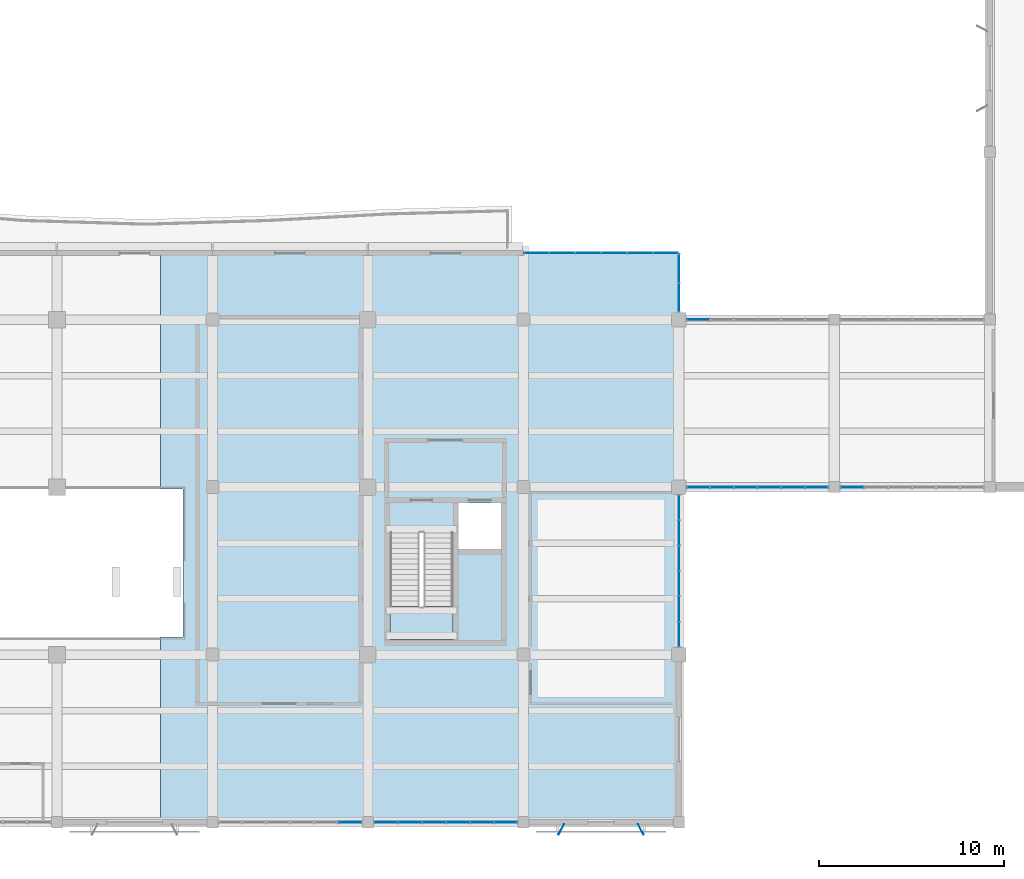
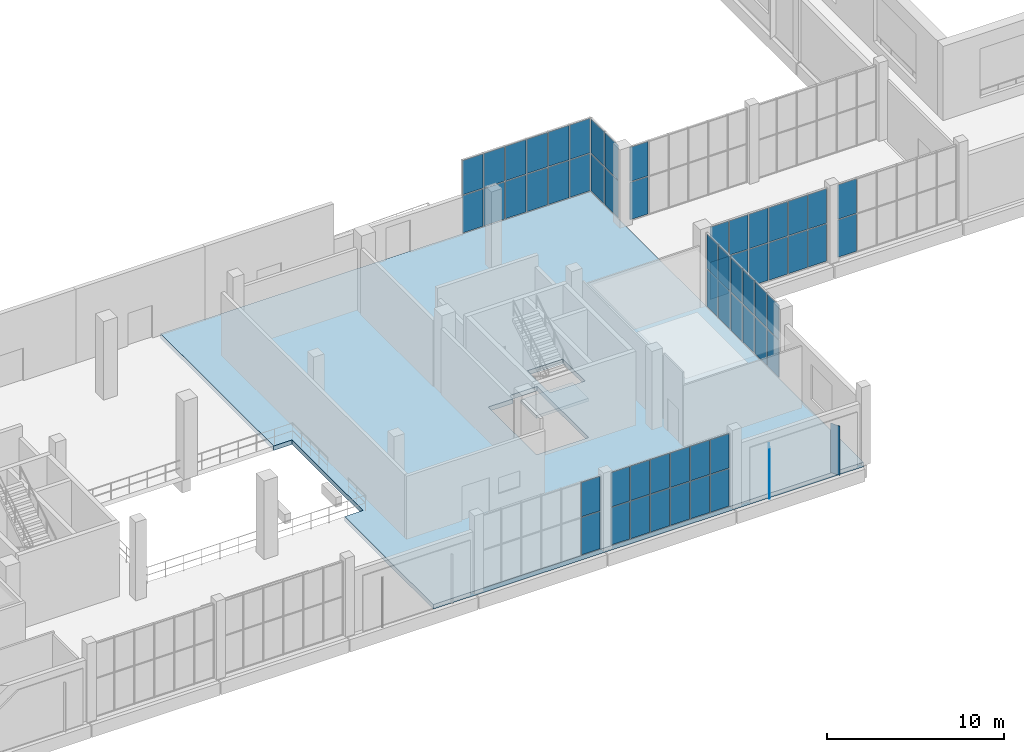
# One storey, part 99 of 132: 60 plates, 2 slabs, 9 elements without a shape of their own.
"""IFC4 building model written with IfcOpenShell, lengths in metres."""

from ifc_helpers import new_model, si_unit, direction, frame, origin, origin_2d, place, context, subcontext, project, spatial, polyline, rectangle, outline, extrude, material, layer, layer_set, type_object, element, aggregate, save


model = new_model("IFC4")

# Units and contexts
model_context = context("Model", 3, precision=1e-05, world=origin(), true_north=direction((0.0, 1.0)))
body_context = subcontext(model_context, "Body", "Model", "MODEL_VIEW")
ifc_project = project(units=[si_unit("LENGTHUNIT", "METRE"), si_unit("AREAUNIT", "SQUARE_METRE"), si_unit("VOLUMEUNIT", "CUBIC_METRE"), si_unit("PLANEANGLEUNIT", "RADIAN"), si_unit("MASSUNIT", "GRAM", prefix="KILO")], contexts=[model_context])

# Site, building, storey
site_placement = place(None, origin())
site = spatial("IfcSite", under=ifc_project, at=site_placement, CompositionType="ELEMENT")
building_placement = place(site_placement, origin())
building = spatial("IfcBuilding", under=site, at=building_placement, Name="Khurvash Pelagic Aquarium", CompositionType="ELEMENT")
storey_placement = place(building_placement, frame((0.0, 0.0, 5.39990234375)))
storey = spatial("IfcBuildingStorey", under=building, at=storey_placement, Name="L01", CompositionType="ELEMENT", Elevation=5.39990234375)

# Curtain wall, plates
ifc_material_1 = material(Name="Anodised aluminium and low-E laminated glass", Category="aluminium")
curtain_wall_type_1 = type_object("IfcCurtainWallType", Name="CW-05", PredefinedType="USERDEFINED", material=ifc_material_1)
curtain_wall_1_placement = place(storey_placement, origin())
curtain_wall_1 = element("IfcCurtainWall", 1, at=curtain_wall_1_placement, inside=storey, type_object=curtain_wall_type_1, Name="L01 Facade Unitised Curtain Wall CW-05 0106", ObjectType="UNITISED CURTAIN WALL", PredefinedType="USERDEFINED")
ifc_material_2 = material(Name="Low-E laminated double glazing", Category="glass")
ifc_layer_1 = layer(ifc_material_2, 0.033935546875)
ifc_layer_set_1 = layer_set([ifc_layer_1], Name="Low-E laminated double glazing")
plate_type_1 = type_object("IfcPlateType", Name="CG-05", PredefinedType="CURTAIN_PANEL", material=ifc_layer_set_1)
plate_1_placement = place(storey_placement, frame((91.430908203125, 2.60009765625, 0.06005859375), z_axis=(0.0, 0.0, 1.0), x_axis=(1.0, 0.0, 0.0)))
plate_1 = element("IfcPlate", 2, at=plate_1_placement, type_object=plate_type_1, Name="CW-05 panel 6.1", PredefinedType="CURTAIN_PANEL", context=body_context, shape_type="SweptSolid", body=[
    extrude(rectangle(XDim=1.208251953125, YDim=0.033935546875, at=origin_2d()), origin(), (0.0, 0.0, 1.0), 2.56201171875),
])
plate_2_placement = place(storey_placement, frame((91.430908203125, 2.60009765625, 2.68212890625), z_axis=(0.0, 0.0, 1.0), x_axis=(1.0, 0.0, 0.0)))
plate_2 = element("IfcPlate", 3, at=plate_2_placement, type_object=plate_type_1, Name="CW-05 panel 6.2", PredefinedType="CURTAIN_PANEL", context=body_context, shape_type="SweptSolid", body=[
    extrude(rectangle(XDim=1.208251953125, YDim=0.033935546875, at=origin_2d()), origin(), (0.0, 0.0, 1.0), 2.35791015625),
])
aggregate(curtain_wall_1, [plate_1, plate_2])

curtain_wall_2_placement = place(storey_placement, origin())
curtain_wall_2 = element("IfcCurtainWall", 4, at=curtain_wall_2_placement, inside=storey, type_object=curtain_wall_type_1, Name="L01 Facade Unitised Curtain Wall CW-05 0107", ObjectType="UNITISED CURTAIN WALL", PredefinedType="USERDEFINED")
plate_3_placement = place(storey_placement, frame((93.369140625, 2.60009765625, 0.06005859375), z_axis=(0.0, 0.0, 1.0), x_axis=(1.0, 0.0, 0.0)))
plate_3 = element("IfcPlate", 5, at=plate_3_placement, type_object=plate_type_1, Name="CW-05 panel 1.1", PredefinedType="CURTAIN_PANEL", context=body_context, shape_type="SweptSolid", body=[
    extrude(rectangle(XDim=1.208251953125, YDim=0.033935546875, at=origin_2d()), origin(), (0.0, 0.0, 1.0), 2.56201171875),
])
plate_4_placement = place(storey_placement, frame((93.369140625, 2.60009765625, 2.68212890625), z_axis=(0.0, 0.0, 1.0), x_axis=(1.0, 0.0, 0.0)))
plate_4 = element("IfcPlate", 6, at=plate_4_placement, type_object=plate_type_1, Name="CW-05 panel 1.2", PredefinedType="CURTAIN_PANEL", context=body_context, shape_type="SweptSolid", body=[
    extrude(rectangle(XDim=1.208251953125, YDim=0.033935546875, at=origin_2d()), origin(), (0.0, 0.0, 1.0), 2.35791015625),
])
plate_5_placement = place(storey_placement, frame((94.652587890625, 2.60009765625, 0.06005859375), z_axis=(0.0, 0.0, 1.0), x_axis=(1.0, 0.0, 0.0)))
plate_5 = element("IfcPlate", 7, at=plate_5_placement, type_object=plate_type_1, Name="CW-05 panel 2.1", PredefinedType="CURTAIN_PANEL", context=body_context, shape_type="SweptSolid", body=[
    extrude(rectangle(XDim=1.23828125, YDim=0.033935546875, at=origin_2d()), origin(), (0.0, 0.0, 1.0), 2.56201171875),
])
plate_6_placement = place(storey_placement, frame((94.652587890625, 2.60009765625, 2.68212890625), z_axis=(0.0, 0.0, 1.0), x_axis=(1.0, 0.0, 0.0)))
plate_6 = element("IfcPlate", 8, at=plate_6_placement, type_object=plate_type_1, Name="CW-05 panel 2.2", PredefinedType="CURTAIN_PANEL", context=body_context, shape_type="SweptSolid", body=[
    extrude(rectangle(XDim=1.23828125, YDim=0.033935546875, at=origin_2d()), origin(), (0.0, 0.0, 1.0), 2.35791015625),
])
plate_7_placement = place(storey_placement, frame((95.950927734375, 2.60009765625, 0.06005859375), z_axis=(0.0, 0.0, 1.0), x_axis=(1.0, 0.0, 0.0)))
plate_7 = element("IfcPlate", 9, at=plate_7_placement, type_object=plate_type_1, Name="CW-05 panel 3.1", PredefinedType="CURTAIN_PANEL", context=body_context, shape_type="SweptSolid", body=[
    extrude(rectangle(XDim=1.23828125, YDim=0.033935546875, at=origin_2d()), origin(), (0.0, 0.0, 1.0), 2.56201171875),
])
plate_8_placement = place(storey_placement, frame((95.950927734375, 2.60009765625, 2.68212890625), z_axis=(0.0, 0.0, 1.0), x_axis=(1.0, 0.0, 0.0)))
plate_8 = element("IfcPlate", 10, at=plate_8_placement, type_object=plate_type_1, Name="CW-05 panel 3.2", PredefinedType="CURTAIN_PANEL", context=body_context, shape_type="SweptSolid", body=[
    extrude(rectangle(XDim=1.23828125, YDim=0.033935546875, at=origin_2d()), origin(), (0.0, 0.0, 1.0), 2.35791015625),
])
plate_9_placement = place(storey_placement, frame((97.249267578125, 2.60009765625, 0.06005859375), z_axis=(0.0, 0.0, 1.0), x_axis=(1.0, 0.0, 0.0)))
plate_9 = element("IfcPlate", 11, at=plate_9_placement, type_object=plate_type_1, Name="CW-05 panel 4.1", PredefinedType="CURTAIN_PANEL", context=body_context, shape_type="SweptSolid", body=[
    extrude(rectangle(XDim=1.23828125, YDim=0.033935546875, at=origin_2d()), origin(), (0.0, 0.0, 1.0), 2.56201171875),
])
plate_10_placement = place(storey_placement, frame((97.249267578125, 2.60009765625, 2.68212890625), z_axis=(0.0, 0.0, 1.0), x_axis=(1.0, 0.0, 0.0)))
plate_10 = element("IfcPlate", 12, at=plate_10_placement, type_object=plate_type_1, Name="CW-05 panel 4.2", PredefinedType="CURTAIN_PANEL", context=body_context, shape_type="SweptSolid", body=[
    extrude(rectangle(XDim=1.23828125, YDim=0.033935546875, at=origin_2d()), origin(), (0.0, 0.0, 1.0), 2.35791015625),
])
plate_11_placement = place(storey_placement, frame((98.547607421875, 2.60009765625, 0.06005859375), z_axis=(0.0, 0.0, 1.0), x_axis=(1.0, 0.0, 0.0)))
plate_11 = element("IfcPlate", 13, at=plate_11_placement, type_object=plate_type_1, Name="CW-05 panel 5.1", PredefinedType="CURTAIN_PANEL", context=body_context, shape_type="SweptSolid", body=[
    extrude(rectangle(XDim=1.23828125, YDim=0.033935546875, at=origin_2d()), origin(), (0.0, 0.0, 1.0), 2.56201171875),
])
plate_12_placement = place(storey_placement, frame((98.547607421875, 2.60009765625, 2.68212890625), z_axis=(0.0, 0.0, 1.0), x_axis=(1.0, 0.0, 0.0)))
plate_12 = element("IfcPlate", 14, at=plate_12_placement, type_object=plate_type_1, Name="CW-05 panel 5.2", PredefinedType="CURTAIN_PANEL", context=body_context, shape_type="SweptSolid", body=[
    extrude(rectangle(XDim=1.23828125, YDim=0.033935546875, at=origin_2d()), origin(), (0.0, 0.0, 1.0), 2.35791015625),
])
plate_13_placement = place(storey_placement, frame((99.830810546875, 2.60009765625, 0.06005859375), z_axis=(0.0, 0.0, 1.0), x_axis=(1.0, 0.0, 0.0)))
plate_13 = element("IfcPlate", 15, at=plate_13_placement, type_object=plate_type_1, Name="CW-05 panel 6.1", PredefinedType="CURTAIN_PANEL", context=body_context, shape_type="SweptSolid", body=[
    extrude(rectangle(XDim=1.208251953125, YDim=0.033935546875, at=origin_2d()), origin(), (0.0, 0.0, 1.0), 2.56201171875),
])
plate_14_placement = place(storey_placement, frame((99.830810546875, 2.60009765625, 2.68212890625), z_axis=(0.0, 0.0, 1.0), x_axis=(1.0, 0.0, 0.0)))
plate_14 = element("IfcPlate", 16, at=plate_14_placement, type_object=plate_type_1, Name="CW-05 panel 6.2", PredefinedType="CURTAIN_PANEL", context=body_context, shape_type="SweptSolid", body=[
    extrude(rectangle(XDim=1.208251953125, YDim=0.033935546875, at=origin_2d()), origin(), (0.0, 0.0, 1.0), 2.35791015625),
])
aggregate(curtain_wall_2, [plate_3, plate_4, plate_5, plate_6, plate_7, plate_8, plate_9, plate_10, plate_11, plate_12, plate_13, plate_14])

curtain_wall_3_placement = place(storey_placement, origin())
curtain_wall_3 = element("IfcCurtainWall", 17, at=curtain_wall_3_placement, inside=storey, type_object=curtain_wall_type_1, Name="L01 Facade Unitised Curtain Wall CW-05 0109", ObjectType="UNITISED CURTAIN WALL", PredefinedType="USERDEFINED")
plate_15_placement = place(storey_placement, frame((110.2607421875, 20.699951171875, 0.06005859375), z_axis=(0.0, 0.0, 1.0), x_axis=(1.0, 0.0, 0.0)))
plate_15 = element("IfcPlate", 18, at=plate_15_placement, type_object=plate_type_1, Name="CW-05 panel 1.1", PredefinedType="CURTAIN_PANEL", context=body_context, shape_type="SweptSolid", body=[
    extrude(rectangle(XDim=1.191650390625, YDim=0.033935546875, at=origin_2d()), origin(), (0.0, 0.0, 1.0), 2.56201171875),
])
plate_16_placement = place(storey_placement, frame((110.2607421875, 20.699951171875, 2.68212890625), z_axis=(0.0, 0.0, 1.0), x_axis=(1.0, 0.0, 0.0)))
plate_16 = element("IfcPlate", 19, at=plate_16_placement, type_object=plate_type_1, Name="CW-05 panel 1.2", PredefinedType="CURTAIN_PANEL", context=body_context, shape_type="SweptSolid", body=[
    extrude(rectangle(XDim=1.191650390625, YDim=0.033935546875, at=origin_2d()), origin(), (0.0, 0.0, 1.0), 2.35791015625),
])
plate_17_placement = place(storey_placement, frame((111.527587890625, 20.699951171875, 0.06005859375), z_axis=(0.0, 0.0, 1.0), x_axis=(1.0, 0.0, 0.0)))
plate_17 = element("IfcPlate", 20, at=plate_17_placement, type_object=plate_type_1, Name="CW-05 panel 2.1", PredefinedType="CURTAIN_PANEL", context=body_context, shape_type="SweptSolid", body=[
    extrude(rectangle(XDim=1.2216796875, YDim=0.033935546875, at=origin_2d()), origin(), (0.0, 0.0, 1.0), 2.56201171875),
])
plate_18_placement = place(storey_placement, frame((111.527587890625, 20.699951171875, 2.68212890625), z_axis=(0.0, 0.0, 1.0), x_axis=(1.0, 0.0, 0.0)))
plate_18 = element("IfcPlate", 21, at=plate_18_placement, type_object=plate_type_1, Name="CW-05 panel 2.2", PredefinedType="CURTAIN_PANEL", context=body_context, shape_type="SweptSolid", body=[
    extrude(rectangle(XDim=1.2216796875, YDim=0.033935546875, at=origin_2d()), origin(), (0.0, 0.0, 1.0), 2.35791015625),
])
plate_19_placement = place(storey_placement, frame((112.80908203125, 20.699951171875, 0.06005859375), z_axis=(0.0, 0.0, 1.0), x_axis=(1.0, 0.0, 0.0)))
plate_19 = element("IfcPlate", 22, at=plate_19_placement, type_object=plate_type_1, Name="CW-05 panel 3.1", PredefinedType="CURTAIN_PANEL", context=body_context, shape_type="SweptSolid", body=[
    extrude(rectangle(XDim=1.2216796875, YDim=0.033935546875, at=origin_2d()), origin(), (0.0, 0.0, 1.0), 2.56201171875),
])
plate_20_placement = place(storey_placement, frame((112.80908203125, 20.699951171875, 2.68212890625), z_axis=(0.0, 0.0, 1.0), x_axis=(1.0, 0.0, 0.0)))
plate_20 = element("IfcPlate", 23, at=plate_20_placement, type_object=plate_type_1, Name="CW-05 panel 3.2", PredefinedType="CURTAIN_PANEL", context=body_context, shape_type="SweptSolid", body=[
    extrude(rectangle(XDim=1.2216796875, YDim=0.033935546875, at=origin_2d()), origin(), (0.0, 0.0, 1.0), 2.35791015625),
])
plate_21_placement = place(storey_placement, frame((114.0908203125, 20.699951171875, 0.06005859375), z_axis=(0.0, 0.0, 1.0), x_axis=(1.0, 0.0, 0.0)))
plate_21 = element("IfcPlate", 24, at=plate_21_placement, type_object=plate_type_1, Name="CW-05 panel 4.1", PredefinedType="CURTAIN_PANEL", context=body_context, shape_type="SweptSolid", body=[
    extrude(rectangle(XDim=1.2216796875, YDim=0.033935546875, at=origin_2d()), origin(), (0.0, 0.0, 1.0), 2.56201171875),
])
plate_22_placement = place(storey_placement, frame((114.0908203125, 20.699951171875, 2.68212890625), z_axis=(0.0, 0.0, 1.0), x_axis=(1.0, 0.0, 0.0)))
plate_22 = element("IfcPlate", 25, at=plate_22_placement, type_object=plate_type_1, Name="CW-05 panel 4.2", PredefinedType="CURTAIN_PANEL", context=body_context, shape_type="SweptSolid", body=[
    extrude(rectangle(XDim=1.2216796875, YDim=0.033935546875, at=origin_2d()), origin(), (0.0, 0.0, 1.0), 2.35791015625),
])
plate_23_placement = place(storey_placement, frame((115.37255859375, 20.699951171875, 0.06005859375), z_axis=(0.0, 0.0, 1.0), x_axis=(1.0, 0.0, 0.0)))
plate_23 = element("IfcPlate", 26, at=plate_23_placement, type_object=plate_type_1, Name="CW-05 panel 5.1", PredefinedType="CURTAIN_PANEL", context=body_context, shape_type="SweptSolid", body=[
    extrude(rectangle(XDim=1.2216796875, YDim=0.033935546875, at=origin_2d()), origin(), (0.0, 0.0, 1.0), 2.56201171875),
])
plate_24_placement = place(storey_placement, frame((115.37255859375, 20.699951171875, 2.68212890625), z_axis=(0.0, 0.0, 1.0), x_axis=(1.0, 0.0, 0.0)))
plate_24 = element("IfcPlate", 27, at=plate_24_placement, type_object=plate_type_1, Name="CW-05 panel 5.2", PredefinedType="CURTAIN_PANEL", context=body_context, shape_type="SweptSolid", body=[
    extrude(rectangle(XDim=1.2216796875, YDim=0.033935546875, at=origin_2d()), origin(), (0.0, 0.0, 1.0), 2.35791015625),
])
plate_25_placement = place(storey_placement, frame((116.63916015625, 20.699951171875, 0.06005859375), z_axis=(0.0, 0.0, 1.0), x_axis=(1.0, 0.0, 0.0)))
plate_25 = element("IfcPlate", 28, at=plate_25_placement, type_object=plate_type_1, Name="CW-05 panel 6.1", PredefinedType="CURTAIN_PANEL", context=body_context, shape_type="SweptSolid", body=[
    extrude(rectangle(XDim=1.191650390625, YDim=0.033935546875, at=origin_2d()), origin(), (0.0, 0.0, 1.0), 2.56201171875),
])
plate_26_placement = place(storey_placement, frame((116.63916015625, 20.699951171875, 2.68212890625), z_axis=(0.0, 0.0, 1.0), x_axis=(1.0, 0.0, 0.0)))
plate_26 = element("IfcPlate", 29, at=plate_26_placement, type_object=plate_type_1, Name="CW-05 panel 6.2", PredefinedType="CURTAIN_PANEL", context=body_context, shape_type="SweptSolid", body=[
    extrude(rectangle(XDim=1.191650390625, YDim=0.033935546875, at=origin_2d()), origin(), (0.0, 0.0, 1.0), 2.35791015625),
])
aggregate(curtain_wall_3, [plate_15, plate_16, plate_17, plate_18, plate_19, plate_20, plate_21, plate_22, plate_23, plate_24, plate_25, plate_26])

curtain_wall_4_placement = place(storey_placement, origin())
curtain_wall_4 = element("IfcCurtainWall", 30, at=curtain_wall_4_placement, inside=storey, type_object=curtain_wall_type_1, Name="L01 Facade Unitised Curtain Wall CW-05 0110", ObjectType="UNITISED CURTAIN WALL", PredefinedType="USERDEFINED")
plate_27_placement = place(storey_placement, frame((118.569091796875, 20.699951171875, 0.06005859375), z_axis=(0.0, 0.0, 1.0), x_axis=(1.0, 0.0, 0.0)))
plate_27 = element("IfcPlate", 31, at=plate_27_placement, type_object=plate_type_1, Name="CW-05 panel 1.1", PredefinedType="CURTAIN_PANEL", context=body_context, shape_type="SweptSolid", body=[
    extrude(rectangle(XDim=1.208251953125, YDim=0.033935546875, at=origin_2d()), origin(), (0.0, 0.0, 1.0), 2.56201171875),
])
plate_28_placement = place(storey_placement, frame((118.569091796875, 20.699951171875, 2.68212890625), z_axis=(0.0, 0.0, 1.0), x_axis=(1.0, 0.0, 0.0)))
plate_28 = element("IfcPlate", 32, at=plate_28_placement, type_object=plate_type_1, Name="CW-05 panel 1.2", PredefinedType="CURTAIN_PANEL", context=body_context, shape_type="SweptSolid", body=[
    extrude(rectangle(XDim=1.208251953125, YDim=0.033935546875, at=origin_2d()), origin(), (0.0, 0.0, 1.0), 2.35791015625),
])
aggregate(curtain_wall_4, [plate_27, plate_28])

curtain_wall_5_placement = place(storey_placement, origin())
curtain_wall_5 = element("IfcCurtainWall", 33, at=curtain_wall_5_placement, inside=storey, type_object=curtain_wall_type_1, Name="L01 Facade Unitised Curtain Wall CW-05 0145", ObjectType="UNITISED CURTAIN WALL", PredefinedType="USERDEFINED")
plate_29_placement = place(storey_placement, frame((110.2607421875, 29.75, 0.06005859375), z_axis=(0.0, 0.0, 1.0), x_axis=(-1.0, 0.0, 0.0)))
plate_29 = element("IfcPlate", 34, at=plate_29_placement, type_object=plate_type_1, Name="CW-05 panel 6.1", PredefinedType="CURTAIN_PANEL", context=body_context, shape_type="SweptSolid", body=[
    extrude(rectangle(XDim=1.191650390625, YDim=0.033935546875, at=origin_2d()), origin(), (0.0, 0.0, 1.0), 2.56201171875),
])
plate_30_placement = place(storey_placement, frame((110.2607421875, 29.75, 2.68212890625), z_axis=(0.0, 0.0, 1.0), x_axis=(-1.0, 0.0, 0.0)))
plate_30 = element("IfcPlate", 35, at=plate_30_placement, type_object=plate_type_1, Name="CW-05 panel 6.2", PredefinedType="CURTAIN_PANEL", context=body_context, shape_type="SweptSolid", body=[
    extrude(rectangle(XDim=1.191650390625, YDim=0.033935546875, at=origin_2d()), origin(), (0.0, 0.0, 1.0), 2.35791015625),
])
aggregate(curtain_wall_5, [plate_29, plate_30])

curtain_wall_6_placement = place(storey_placement, origin())
curtain_wall_6 = element("IfcCurtainWall", 36, at=curtain_wall_6_placement, inside=storey, type_object=curtain_wall_type_1, Name="L01 Facade Unitised Curtain Wall CW-05 0147", ObjectType="UNITISED CURTAIN WALL", PredefinedType="USERDEFINED")
plate_31_placement = place(storey_placement, frame((108.485107421875, 33.35009765625, 0.06005859375), z_axis=(0.0, 0.0, 1.0), x_axis=(-1.0, 0.0, 0.0)))
plate_31 = element("IfcPlate", 37, at=plate_31_placement, type_object=plate_type_1, Name="CW-05 panel 1.1", PredefinedType="CURTAIN_PANEL", context=body_context, shape_type="SweptSolid", body=[
    extrude(rectangle(XDim=1.31005859375, YDim=0.033935546875, at=origin_2d()), origin(), (0.0, 0.0, 1.0), 2.56201171875),
])
plate_32_placement = place(storey_placement, frame((108.485107421875, 33.35009765625, 2.68212890625), z_axis=(0.0, 0.0, 1.0), x_axis=(-1.0, 0.0, 0.0)))
plate_32 = element("IfcPlate", 38, at=plate_32_placement, type_object=plate_type_1, Name="CW-05 panel 1.2", PredefinedType="CURTAIN_PANEL", context=body_context, shape_type="SweptSolid", body=[
    extrude(rectangle(XDim=1.31005859375, YDim=0.033935546875, at=origin_2d()), origin(), (0.0, 0.0, 1.0), 2.35791015625),
])
plate_33_placement = place(storey_placement, frame((107.10009765625, 33.35009765625, 0.06005859375), z_axis=(0.0, 0.0, 1.0), x_axis=(-1.0, 0.0, 0.0)))
plate_33 = element("IfcPlate", 39, at=plate_33_placement, type_object=plate_type_1, Name="CW-05 panel 2.1", PredefinedType="CURTAIN_PANEL", context=body_context, shape_type="SweptSolid", body=[
    extrude(rectangle(XDim=1.340087890625, YDim=0.033935546875, at=origin_2d()), origin(), (0.0, 0.0, 1.0), 2.56201171875),
])
plate_34_placement = place(storey_placement, frame((107.10009765625, 33.35009765625, 2.68212890625), z_axis=(0.0, 0.0, 1.0), x_axis=(-1.0, 0.0, 0.0)))
plate_34 = element("IfcPlate", 40, at=plate_34_placement, type_object=plate_type_1, Name="CW-05 panel 2.2", PredefinedType="CURTAIN_PANEL", context=body_context, shape_type="SweptSolid", body=[
    extrude(rectangle(XDim=1.340087890625, YDim=0.033935546875, at=origin_2d()), origin(), (0.0, 0.0, 1.0), 2.35791015625),
])
plate_35_placement = place(storey_placement, frame((105.699951171875, 33.35009765625, 0.06005859375), z_axis=(0.0, 0.0, 1.0), x_axis=(-1.0, 0.0, 0.0)))
plate_35 = element("IfcPlate", 41, at=plate_35_placement, type_object=plate_type_1, Name="CW-05 panel 3.1", PredefinedType="CURTAIN_PANEL", context=body_context, shape_type="SweptSolid", body=[
    extrude(rectangle(XDim=1.340087890625, YDim=0.033935546875, at=origin_2d()), origin(), (0.0, 0.0, 1.0), 2.56201171875),
])
plate_36_placement = place(storey_placement, frame((105.699951171875, 33.35009765625, 2.68212890625), z_axis=(0.0, 0.0, 1.0), x_axis=(-1.0, 0.0, 0.0)))
plate_36 = element("IfcPlate", 42, at=plate_36_placement, type_object=plate_type_1, Name="CW-05 panel 3.2", PredefinedType="CURTAIN_PANEL", context=body_context, shape_type="SweptSolid", body=[
    extrude(rectangle(XDim=1.340087890625, YDim=0.033935546875, at=origin_2d()), origin(), (0.0, 0.0, 1.0), 2.35791015625),
])
plate_37_placement = place(storey_placement, frame((104.300048828125, 33.35009765625, 0.06005859375), z_axis=(0.0, 0.0, 1.0), x_axis=(-1.0, 0.0, 0.0)))
plate_37 = element("IfcPlate", 43, at=plate_37_placement, type_object=plate_type_1, Name="CW-05 panel 4.1", PredefinedType="CURTAIN_PANEL", context=body_context, shape_type="SweptSolid", body=[
    extrude(rectangle(XDim=1.340087890625, YDim=0.033935546875, at=origin_2d()), origin(), (0.0, 0.0, 1.0), 2.56201171875),
])
plate_38_placement = place(storey_placement, frame((104.300048828125, 33.35009765625, 2.68212890625), z_axis=(0.0, 0.0, 1.0), x_axis=(-1.0, 0.0, 0.0)))
plate_38 = element("IfcPlate", 44, at=plate_38_placement, type_object=plate_type_1, Name="CW-05 panel 4.2", PredefinedType="CURTAIN_PANEL", context=body_context, shape_type="SweptSolid", body=[
    extrude(rectangle(XDim=1.340087890625, YDim=0.033935546875, at=origin_2d()), origin(), (0.0, 0.0, 1.0), 2.35791015625),
])
plate_39_placement = place(storey_placement, frame((102.89990234375, 33.35009765625, 0.06005859375), z_axis=(0.0, 0.0, 1.0), x_axis=(-1.0, 0.0, 0.0)))
plate_39 = element("IfcPlate", 45, at=plate_39_placement, type_object=plate_type_1, Name="CW-05 panel 5.1", PredefinedType="CURTAIN_PANEL", context=body_context, shape_type="SweptSolid", body=[
    extrude(rectangle(XDim=1.340087890625, YDim=0.033935546875, at=origin_2d()), origin(), (0.0, 0.0, 1.0), 2.56201171875),
])
plate_40_placement = place(storey_placement, frame((102.89990234375, 33.35009765625, 2.68212890625), z_axis=(0.0, 0.0, 1.0), x_axis=(-1.0, 0.0, 0.0)))
plate_40 = element("IfcPlate", 46, at=plate_40_placement, type_object=plate_type_1, Name="CW-05 panel 5.2", PredefinedType="CURTAIN_PANEL", context=body_context, shape_type="SweptSolid", body=[
    extrude(rectangle(XDim=1.340087890625, YDim=0.033935546875, at=origin_2d()), origin(), (0.0, 0.0, 1.0), 2.35791015625),
])
plate_41_placement = place(storey_placement, frame((101.514892578125, 33.35009765625, 0.06005859375), z_axis=(0.0, 0.0, 1.0), x_axis=(-1.0, 0.0, 0.0)))
plate_41 = element("IfcPlate", 47, at=plate_41_placement, type_object=plate_type_1, Name="CW-05 panel 6.1", PredefinedType="CURTAIN_PANEL", context=body_context, shape_type="SweptSolid", body=[
    extrude(rectangle(XDim=1.31005859375, YDim=0.033935546875, at=origin_2d()), origin(), (0.0, 0.0, 1.0), 2.56201171875),
])
plate_42_placement = place(storey_placement, frame((101.514892578125, 33.35009765625, 2.68212890625), z_axis=(0.0, 0.0, 1.0), x_axis=(-1.0, 0.0, 0.0)))
plate_42 = element("IfcPlate", 48, at=plate_42_placement, type_object=plate_type_1, Name="CW-05 panel 6.2", PredefinedType="CURTAIN_PANEL", context=body_context, shape_type="SweptSolid", body=[
    extrude(rectangle(XDim=1.31005859375, YDim=0.033935546875, at=origin_2d()), origin(), (0.0, 0.0, 1.0), 2.35791015625),
])
aggregate(curtain_wall_6, [plate_31, plate_32, plate_33, plate_34, plate_35, plate_36, plate_37, plate_38, plate_39, plate_40, plate_41, plate_42])

curtain_wall_type_2 = type_object("IfcCurtainWallType", Name="CW-06", PredefinedType="USERDEFINED", material=ifc_material_1)
curtain_wall_7_placement = place(storey_placement, origin())
curtain_wall_7 = element("IfcCurtainWall", 49, at=curtain_wall_7_placement, inside=storey, type_object=curtain_wall_type_2, Name="L01 Facade Unitised Curtain Wall CW-06 0108", ObjectType="UNITISED CURTAIN WALL", PredefinedType="USERDEFINED")
ifc_layer_2 = layer(ifc_material_2, 0.030029296875)
ifc_layer_set_2 = layer_set([ifc_layer_2], Name="Low-E laminated double glazing")
plate_type_2 = type_object("IfcPlateType", Name="CG-06", PredefinedType="CURTAIN_PANEL", material=ifc_layer_set_2)
plate_43_placement = place(storey_placement, frame((109.199951171875, 12.756591796875, 0.06005859375), z_axis=(0.0, 0.0, 1.0), x_axis=(0.0, 1.0, 0.0)))
plate_43 = element("IfcPlate", 50, at=plate_43_placement, type_object=plate_type_2, Name="CW-06 panel 1.1", PredefinedType="CURTAIN_PANEL", context=body_context, shape_type="SweptSolid", body=[
    extrude(rectangle(XDim=1.283447265625, YDim=0.030029296875, at=origin_2d()), origin(), (0.0, 0.0, 1.0), 2.56201171875),
])
plate_44_placement = place(storey_placement, frame((109.199951171875, 12.756591796875, 2.68212890625), z_axis=(0.0, 0.0, 1.0), x_axis=(0.0, 1.0, 0.0)))
plate_44 = element("IfcPlate", 51, at=plate_44_placement, type_object=plate_type_2, Name="CW-06 panel 1.2", PredefinedType="CURTAIN_PANEL", context=body_context, shape_type="SweptSolid", body=[
    extrude(rectangle(XDim=1.283447265625, YDim=0.030029296875, at=origin_2d()), origin(), (0.0, 0.0, 1.0), 2.35791015625),
])
plate_45_placement = place(storey_placement, frame((109.199951171875, 14.114990234375, 0.06005859375), z_axis=(0.0, 0.0, 1.0), x_axis=(0.0, 1.0, 0.0)))
plate_45 = element("IfcPlate", 52, at=plate_45_placement, type_object=plate_type_2, Name="CW-06 panel 2.1", PredefinedType="CURTAIN_PANEL", context=body_context, shape_type="SweptSolid", body=[
    extrude(rectangle(XDim=1.313232421875, YDim=0.030029296875, at=origin_2d()), origin(), (0.0, 0.0, 1.0), 2.56201171875),
])
plate_46_placement = place(storey_placement, frame((109.199951171875, 14.114990234375, 2.68212890625), z_axis=(0.0, 0.0, 1.0), x_axis=(0.0, 1.0, 0.0)))
plate_46 = element("IfcPlate", 53, at=plate_46_placement, type_object=plate_type_2, Name="CW-06 panel 2.2", PredefinedType="CURTAIN_PANEL", context=body_context, shape_type="SweptSolid", body=[
    extrude(rectangle(XDim=1.313232421875, YDim=0.030029296875, at=origin_2d()), origin(), (0.0, 0.0, 1.0), 2.35791015625),
])
plate_47_placement = place(storey_placement, frame((109.199951171875, 15.48828125, 0.06005859375), z_axis=(0.0, 0.0, 1.0), x_axis=(0.0, 1.0, 0.0)))
plate_47 = element("IfcPlate", 54, at=plate_47_placement, type_object=plate_type_2, Name="CW-06 panel 3.1", PredefinedType="CURTAIN_PANEL", context=body_context, shape_type="SweptSolid", body=[
    extrude(rectangle(XDim=1.313232421875, YDim=0.030029296875, at=origin_2d()), origin(), (0.0, 0.0, 1.0), 2.56201171875),
])
plate_48_placement = place(storey_placement, frame((109.199951171875, 15.48828125, 2.68212890625), z_axis=(0.0, 0.0, 1.0), x_axis=(0.0, 1.0, 0.0)))
plate_48 = element("IfcPlate", 55, at=plate_48_placement, type_object=plate_type_2, Name="CW-06 panel 3.2", PredefinedType="CURTAIN_PANEL", context=body_context, shape_type="SweptSolid", body=[
    extrude(rectangle(XDim=1.313232421875, YDim=0.030029296875, at=origin_2d()), origin(), (0.0, 0.0, 1.0), 2.35791015625),
])
plate_49_placement = place(storey_placement, frame((109.199951171875, 16.861572265625, 0.06005859375), z_axis=(0.0, 0.0, 1.0), x_axis=(0.0, 1.0, 0.0)))
plate_49 = element("IfcPlate", 56, at=plate_49_placement, type_object=plate_type_2, Name="CW-06 panel 4.1", PredefinedType="CURTAIN_PANEL", context=body_context, shape_type="SweptSolid", body=[
    extrude(rectangle(XDim=1.313232421875, YDim=0.030029296875, at=origin_2d()), origin(), (0.0, 0.0, 1.0), 2.56201171875),
])
plate_50_placement = place(storey_placement, frame((109.199951171875, 16.861572265625, 2.68212890625), z_axis=(0.0, 0.0, 1.0), x_axis=(0.0, 1.0, 0.0)))
plate_50 = element("IfcPlate", 57, at=plate_50_placement, type_object=plate_type_2, Name="CW-06 panel 4.2", PredefinedType="CURTAIN_PANEL", context=body_context, shape_type="SweptSolid", body=[
    extrude(rectangle(XDim=1.313232421875, YDim=0.030029296875, at=origin_2d()), origin(), (0.0, 0.0, 1.0), 2.35791015625),
])
plate_51_placement = place(storey_placement, frame((109.199951171875, 18.235107421875, 0.06005859375), z_axis=(0.0, 0.0, 1.0), x_axis=(0.0, 1.0, 0.0)))
plate_51 = element("IfcPlate", 58, at=plate_51_placement, type_object=plate_type_2, Name="CW-06 panel 5.1", PredefinedType="CURTAIN_PANEL", context=body_context, shape_type="SweptSolid", body=[
    extrude(rectangle(XDim=1.313232421875, YDim=0.030029296875, at=origin_2d()), origin(), (0.0, 0.0, 1.0), 2.56201171875),
])
plate_52_placement = place(storey_placement, frame((109.199951171875, 18.235107421875, 2.68212890625), z_axis=(0.0, 0.0, 1.0), x_axis=(0.0, 1.0, 0.0)))
plate_52 = element("IfcPlate", 59, at=plate_52_placement, type_object=plate_type_2, Name="CW-06 panel 5.2", PredefinedType="CURTAIN_PANEL", context=body_context, shape_type="SweptSolid", body=[
    extrude(rectangle(XDim=1.313232421875, YDim=0.030029296875, at=origin_2d()), origin(), (0.0, 0.0, 1.0), 2.35791015625),
])
plate_53_placement = place(storey_placement, frame((109.199951171875, 19.59326171875, 0.06005859375), z_axis=(0.0, 0.0, 1.0), x_axis=(0.0, 1.0, 0.0)))
plate_53 = element("IfcPlate", 60, at=plate_53_placement, type_object=plate_type_2, Name="CW-06 panel 6.1", PredefinedType="CURTAIN_PANEL", context=body_context, shape_type="SweptSolid", body=[
    extrude(rectangle(XDim=1.283447265625, YDim=0.030029296875, at=origin_2d()), origin(), (0.0, 0.0, 1.0), 2.56201171875),
])
plate_54_placement = place(storey_placement, frame((109.199951171875, 19.59326171875, 2.68212890625), z_axis=(0.0, 0.0, 1.0), x_axis=(0.0, 1.0, 0.0)))
plate_54 = element("IfcPlate", 61, at=plate_54_placement, type_object=plate_type_2, Name="CW-06 panel 6.2", PredefinedType="CURTAIN_PANEL", context=body_context, shape_type="SweptSolid", body=[
    extrude(rectangle(XDim=1.283447265625, YDim=0.030029296875, at=origin_2d()), origin(), (0.0, 0.0, 1.0), 2.35791015625),
])
aggregate(curtain_wall_7, [plate_43, plate_44, plate_45, plate_46, plate_47, plate_48, plate_49, plate_50, plate_51, plate_52, plate_53, plate_54])

curtain_wall_8_placement = place(storey_placement, origin())
curtain_wall_8 = element("IfcCurtainWall", 62, at=curtain_wall_8_placement, inside=storey, type_object=curtain_wall_type_2, Name="L01 Facade Unitised Curtain Wall CW-06 0146", ObjectType="UNITISED CURTAIN WALL", PredefinedType="USERDEFINED")
plate_55_placement = place(storey_placement, frame((109.199951171875, 30.96875, 0.06005859375), z_axis=(0.0, 0.0, 1.0), x_axis=(0.0, 1.0, 0.0)))
plate_55 = element("IfcPlate", 63, at=plate_55_placement, type_object=plate_type_2, Name="CW-06 panel 1.1", PredefinedType="CURTAIN_PANEL", context=body_context, shape_type="SweptSolid", body=[
    extrude(rectangle(XDim=1.507568359375, YDim=0.030029296875, at=origin_2d()), origin(), (0.0, 0.0, 1.0), 2.56201171875),
])
plate_56_placement = place(storey_placement, frame((109.199951171875, 30.96875, 2.68212890625), z_axis=(0.0, 0.0, 1.0), x_axis=(0.0, 1.0, 0.0)))
plate_56 = element("IfcPlate", 64, at=plate_56_placement, type_object=plate_type_2, Name="CW-06 panel 1.2", PredefinedType="CURTAIN_PANEL", context=body_context, shape_type="SweptSolid", body=[
    extrude(rectangle(XDim=1.507568359375, YDim=0.030029296875, at=origin_2d()), origin(), (0.0, 0.0, 1.0), 2.35791015625),
])
plate_57_placement = place(storey_placement, frame((109.199951171875, 32.5361328125, 0.06005859375), z_axis=(0.0, 0.0, 1.0), x_axis=(0.0, 1.0, 0.0)))
plate_57 = element("IfcPlate", 65, at=plate_57_placement, type_object=plate_type_2, Name="CW-06 panel 2.1", PredefinedType="CURTAIN_PANEL", context=body_context, shape_type="SweptSolid", body=[
    extrude(rectangle(XDim=1.507568359375, YDim=0.030029296875, at=origin_2d()), origin(), (0.0, 0.0, 1.0), 2.56201171875),
])
plate_58_placement = place(storey_placement, frame((109.199951171875, 32.5361328125, 2.68212890625), z_axis=(0.0, 0.0, 1.0), x_axis=(0.0, 1.0, 0.0)))
plate_58 = element("IfcPlate", 66, at=plate_58_placement, type_object=plate_type_2, Name="CW-06 panel 2.2", PredefinedType="CURTAIN_PANEL", context=body_context, shape_type="SweptSolid", body=[
    extrude(rectangle(XDim=1.507568359375, YDim=0.030029296875, at=origin_2d()), origin(), (0.0, 0.0, 1.0), 2.35791015625),
])
aggregate(curtain_wall_8, [plate_55, plate_56, plate_57, plate_58])

# Slab
ifc_material_3 = material(Name="Concrete C40/50", Category="concrete")
ifc_layer_3 = layer(ifc_material_3, 0.31005859375)
ifc_layer_set_3 = layer_set([ifc_layer_3], Name="Concrete C40/50")
slab_type_1 = type_object("IfcSlabType", Name="FS-310", PredefinedType="FLOOR", material=ifc_layer_set_3)
slab_1_placement = place(storey_placement, frame((0.0, 0.0, -0.309814453125)))
element("IfcSlab", 67, at=slab_1_placement, inside=storey, type_object=slab_type_1, Name="L01 Structural Floor Slab FS-310 V3_SOUTH.3", PredefinedType="FLOOR", context=body_context, shape_type="SweptSolid", body=[
    extrude(outline(polyline([(81.199951171875, 2.60009765625), (109.199951171875, 2.60009765625), (109.199951171875, 33.35009765625), (81.199951171875, 33.35009765625), (81.199951171875, 20.60009765625), (82.39990234375, 20.60009765625), (82.39990234375, 12.60009765625), (81.199951171875, 12.60009765625), (81.199951171875, 2.60009765625)]), holes=[polyline([(95.199951171875, 18.25), (97.0, 18.25), (97.0, 12.449951171875), (93.60009765625, 12.449951171875), (93.60009765625, 17.8701171875), (95.199951171875, 17.8701171875), (95.199951171875, 18.25)]), polyline([(99.60009765625, 17.35009765625), (97.300048828125, 17.35009765625), (97.300048828125, 19.85009765625), (99.60009765625, 19.85009765625), (99.60009765625, 17.35009765625)])]), origin(), (0.0, 0.0, 1.0), 0.309814453125),
])

# Stair, slab
ifc_material_4 = material(Name="Concrete C35/45", Category="concrete")
stair_type = type_object("IfcStairType", Name="ST-03", PredefinedType="HALF_TURN_STAIR", material=ifc_material_4)
stair_placement = place(storey_placement, origin())
stair = element("IfcStair", 68, at=stair_placement, inside=storey, type_object=stair_type, Name="L01 Protected Exit Stair ST-03", PredefinedType="HALF_TURN_STAIR")
ifc_layer_4 = layer(ifc_material_4, 0.199951171875)
ifc_layer_set_4 = layer_set([ifc_layer_4], Name="Concrete C35/45")
slab_type_2 = type_object("IfcSlabType", Name="SL-LND-200", PredefinedType="LANDING", material=ifc_layer_set_4)
slab_2_placement = place(storey_placement, frame((0.0, 0.0, 2.5)))
slab_2 = element("IfcSlab", 69, at=slab_2_placement, type_object=slab_type_2, Name="ST-03 landing 1", PredefinedType="LANDING", context=body_context, shape_type="SweptSolid", body=[
    extrude(outline(polyline([(93.60009765625, 14.260009765625), (93.60009765625, 12.449951171875), (97.0, 12.449951171875), (97.0, 14.260009765625), (93.60009765625, 14.260009765625)])), origin(), (0.0, 0.0, 1.0), 0.2001953125),
])
aggregate(stair, [slab_2])

# Plates
ifc_material_5 = material(Name="Anodised aluminium AW-5005", Category="aluminium")
ifc_layer_5 = layer(ifc_material_5, 0.02392578125)
ifc_layer_set_5 = layer_set([ifc_layer_5], Name="Anodised aluminium AW-5005")
plate_type_3 = type_object("IfcPlateType", Name="SP-01", PredefinedType="SHEET", material=ifc_layer_set_5)
for number, where, z_axis, x_axis, name in (
    (70, (102.85009765625, 2.2119140625, 0.150146484375), (0.0, 0.0, 1.0), (-0.469471562786, -0.882947592859, 0.0), "L01 Parametric Folded Aluminium Solar Screen Fin SP-01 0007"),
    (71, (107.14990234375, 2.2119140625, 0.150146484375), (0.0, 0.0, 1.0), (0.469471562786, -0.882947592859, 0.0), "L01 Parametric Folded Aluminium Solar Screen Fin SP-01 0008"),
):
    element("IfcPlate", number, at=place(storey_placement, frame(where, z_axis=z_axis, x_axis=x_axis)), inside=storey, type_object=plate_type_3, Name=name, PredefinedType="SHEET", context=body_context, shape_type="SweptSolid", body=[
        extrude(rectangle(XDim=0.6201171875, YDim=0.02392578125, at=origin_2d()), origin(), (0.0, 0.0, 1.0), 3.39990234375),
    ])

save(model, "model.ifc")
